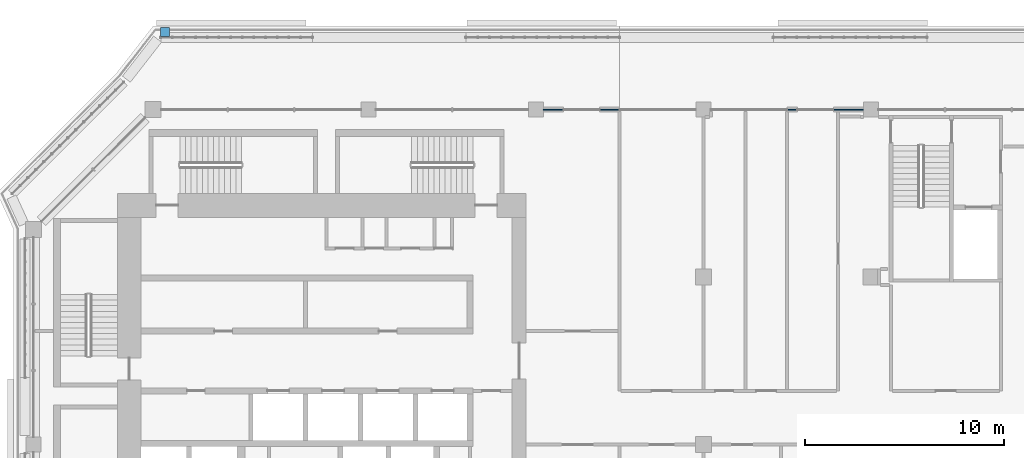
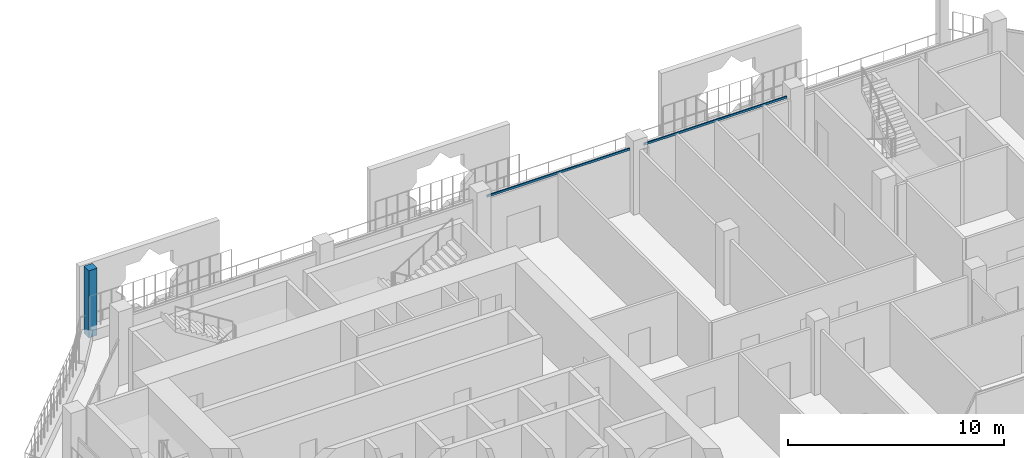
# One storey, part 7 of 21: 3 members, 2 elements without a shape of their own.
"""IFC4 building model written with IfcOpenShell, lengths in metres."""

from ifc_helpers import new_model, si_unit, direction, frame, origin, origin_2d, place, context, subcontext, project, spatial, rectangle, extrude, material, layer, layer_set, material_profile, profile_set, type_object, element, aggregate, save


model = new_model("IFC4")

# Units and contexts
model_context = context("Model", 3, precision=1e-05, world=origin(), true_north=direction((0.0, 1.0)))
body_context = subcontext(model_context, "Body", "Model", "MODEL_VIEW")
ifc_project = project(units=[si_unit("LENGTHUNIT", "METRE"), si_unit("AREAUNIT", "SQUARE_METRE"), si_unit("VOLUMEUNIT", "CUBIC_METRE"), si_unit("PLANEANGLEUNIT", "RADIAN"), si_unit("MASSUNIT", "GRAM", prefix="KILO")], contexts=[model_context])

# Site, building, storey
site_placement = place(None, origin())
site = spatial("IfcSite", under=ifc_project, at=site_placement, CompositionType="ELEMENT")
building_placement = place(site_placement, origin())
building = spatial("IfcBuilding", under=site, at=building_placement, Name="Kawkab Arch Medical Tower", CompositionType="ELEMENT")
storey_placement = place(building_placement, frame((0.0, 0.0, 319.60009765625)))
storey = spatial("IfcBuildingStorey", under=building, at=storey_placement, Name="L74", CompositionType="ELEMENT", Elevation=319.60009765625)

# Curtain wall, members
ifc_material_1 = material(Name="Bronze anodised aluminium curtain wall frame", Category="aluminium")
ifc_layer_1 = layer(ifc_material_1, 0.159912109375)
ifc_layer_set_1 = layer_set([ifc_layer_1], Name="Bronze anodised aluminium curtain wall frame")
curtain_wall_type_1 = type_object("IfcCurtainWallType", Name="CW1 ward curtain wall", PredefinedType="NOTDEFINED", material=ifc_layer_set_1)
placement = place(storey_placement, origin())
curtain_wall_1 = element("IfcCurtainWall", 1, at=placement, inside=storey, type_object=curtain_wall_type_1, Name="CW1 Ward curtain wall R15", PredefinedType="NOTDEFINED")
ifc_material_2 = material(Name="Bronze anodised aluminium curtain wall frame", Category="aluminium")
ifc_material_profile_1 = material_profile(ifc_material_2, rectangle(XDim=0.06005859375, YDim=0.1201171875, at=origin_2d()), Name="AL 60x120")
ifc_profile_set_1 = profile_set([ifc_material_profile_1], Name="Bronze anodised aluminium curtain wall frame")
member_type_1 = type_object("IfcMemberType", Name="CW1 transom 120 x 60", PredefinedType="USERDEFINED", material=ifc_profile_set_1)
member_1_placement = place(storey_placement, frame((41.625, 0.0, 3.539794921875), z_axis=(-1.0, 0.0, 0.0), x_axis=(0.0, -1.0, 0.0)))
member_1 = element("IfcMember", 2, at=member_1_placement, type_object=member_type_1, Name="CW1 transom 2", ObjectType="TRANSOM", PredefinedType="USERDEFINED", context=body_context, shape_type="SweptSolid", body=[
    extrude(rectangle(XDim=0.06005859375, YDim=0.1201171875, at=origin_2d()), origin(), (0.0, 0.0, 1.0), 7.64990234375),
])
member_2_placement = place(storey_placement, frame((33.22509765625, 0.0, 3.539794921875), z_axis=(-1.0, 0.0, 0.0), x_axis=(0.0, -1.0, 0.0)))
member_2 = element("IfcMember", 3, at=member_2_placement, type_object=member_type_1, Name="CW1 transom 3", ObjectType="TRANSOM", PredefinedType="USERDEFINED", context=body_context, shape_type="SweptSolid", body=[
    extrude(rectangle(XDim=0.06005859375, YDim=0.1201171875, at=origin_2d()), origin(), (0.0, 0.0, 1.0), 7.650146484375),
])
aggregate(curtain_wall_1, [member_1, member_2])

# Curtain wall, member
ifc_material_3 = material(Name="Bronze anodised aluminium climber frame, planted", Category="aluminium")
ifc_layer_2 = layer(ifc_material_3, 0.449951171875)
ifc_layer_set_2 = layer_set([ifc_layer_2], Name="Bronze anodised aluminium climber frame, planted")
curtain_wall_type_2 = type_object("IfcCurtainWallType", Name="Planted climber frame", PredefinedType="NOTDEFINED", material=ifc_layer_set_2)
curtain_wall_2 = element("IfcCurtainWall", 4, at=placement, inside=storey, type_object=curtain_wall_type_2, Name="Planted climber frame L74", PredefinedType="NOTDEFINED")
ifc_material_4 = material(Name="Bronze anodised aluminium climber frame, planted", Category="aluminium")
ifc_material_profile_2 = material_profile(ifc_material_4, rectangle(XDim=0.449951171875, YDim=0.449951171875, at=origin_2d()), Name="Post 450x450")
ifc_profile_set_2 = profile_set([ifc_material_profile_2], Name="Bronze anodised aluminium climber frame, planted")
member_type_2 = type_object("IfcMemberType", Name="Planted climber post 450 x 450", PredefinedType="MULLION", material=ifc_profile_set_2)
member_3_placement = place(storey_placement, frame((6.596923828125, 3.89990234375, 0.0), z_axis=(0.0, 0.0, 1.0), x_axis=(1.0, 0.0, 0.0)))
member_3 = element("IfcMember", 5, at=member_3_placement, type_object=member_type_2, Name="Planted climber post L74.LOG-01-01.3", PredefinedType="MULLION", context=body_context, shape_type="SweptSolid", body=[
    extrude(rectangle(XDim=0.449951171875, YDim=0.449951171875, at=origin_2d()), origin(), (0.0, 0.0, 1.0), 3.7998046875),
])
aggregate(curtain_wall_2, [member_3])

save(model, "model.ifc")
